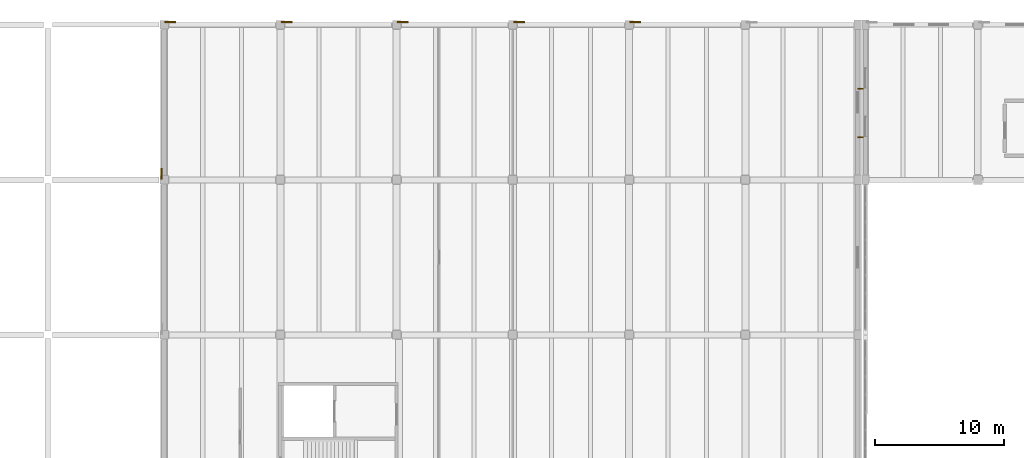
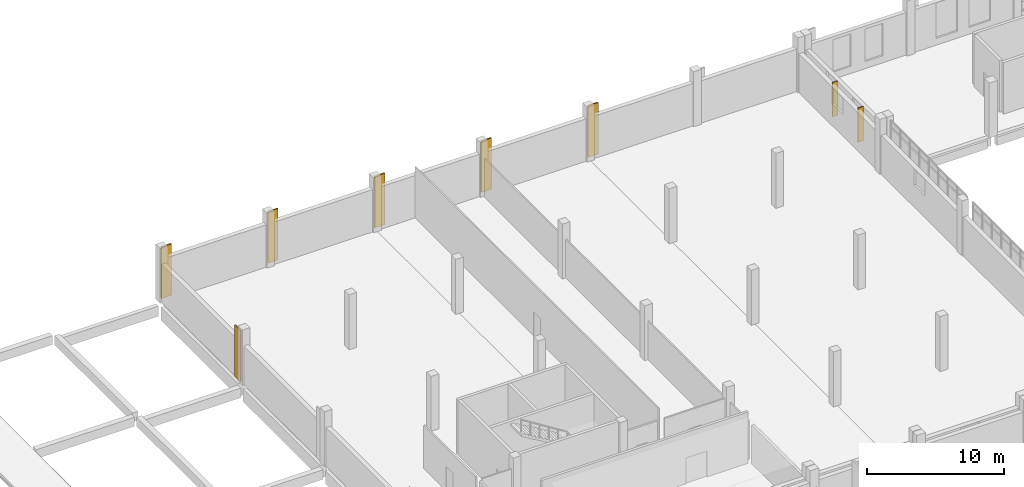
# One storey, part 108 of 110: 6 coverings, 2 shading devices.
"""IFC4 building model written with IfcOpenShell, lengths in metres."""

from ifc_helpers import new_model, si_unit, direction, frame, origin, origin_2d, place, context, subcontext, project, spatial, rectangle, extrude, material, layer, layer_set, type_object, element, save


model = new_model("IFC4")

# Units and contexts
model_context = context("Model", 3, precision=1e-05, world=origin(), true_north=direction((0.0, 1.0)))
body_context = subcontext(model_context, "Body", "Model", "MODEL_VIEW")
ifc_project = project(units=[si_unit("LENGTHUNIT", "METRE"), si_unit("AREAUNIT", "SQUARE_METRE"), si_unit("VOLUMEUNIT", "CUBIC_METRE"), si_unit("PLANEANGLEUNIT", "RADIAN"), si_unit("MASSUNIT", "GRAM", prefix="KILO")], contexts=[model_context])

# Site, building, storey
site_placement = place(None, origin())
site = spatial("IfcSite", under=ifc_project, at=site_placement, CompositionType="ELEMENT")
building_placement = place(site_placement, origin())
building = spatial("IfcBuilding", under=site, at=building_placement, Name="Zacnel Wholesale Market", CompositionType="ELEMENT")
storey_placement = place(building_placement, frame((0.0, 0.0, 6.300048828125)))
storey = spatial("IfcBuildingStorey", under=building, at=storey_placement, Name="L02", CompositionType="ELEMENT", Elevation=6.300048828125)

# Coverings
ifc_material_1 = material(Name="Honed Yucatan Maya cream limestone", Category="masonry")
ifc_layer = layer(ifc_material_1, 0.090087890625)
ifc_layer_set = layer_set([ifc_layer], Name="Honed Yucatan Maya cream limestone")
covering_type = type_object("IfcCoveringType", Name="COV-CLAD-FRET", PredefinedType="CLADDING", material=ifc_layer_set)
for number, where, z_axis, x_axis, name in (
    (1, (18.47998046875, 144.2099609375, 0.02001953125), (0.0, 0.0, 1.0), (1.0, 0.0, 0.0), "Fluted Mayan-Deco limestone pilaster L02-0096"),
    (2, (27.47998046875, 144.2099609375, 0.02001953125), (0.0, 0.0, 1.0), (1.0, 0.0, 0.0), "Fluted Mayan-Deco limestone pilaster L02-0097"),
    (3, (36.47998046875, 144.2099609375, 0.02001953125), (0.0, 0.0, 1.0), (1.0, 0.0, 0.0), "Fluted Mayan-Deco limestone pilaster L02-0098"),
    (4, (45.47998046875, 144.2099609375, 0.02001953125), (0.0, 0.0, 1.0), (1.0, 0.0, 0.0), "Fluted Mayan-Deco limestone pilaster L02-0099"),
    (5, (54.47998046875, 144.2099609375, 0.02001953125), (0.0, 0.0, 1.0), (1.0, 0.0, 0.0), "Fluted Mayan-Deco limestone pilaster L02-0100"),
    (6, (17.7900390625, 132.47998046875, 0.02001953125), (0.0, 0.0, 1.0), (0.0, 1.0, 0.0), "Fluted Mayan-Deco limestone pilaster L02-0105"),
):
    element("IfcCovering", number, at=place(storey_placement, frame(where, z_axis=z_axis, x_axis=x_axis)), inside=storey, type_object=covering_type, Name=name, PredefinedType="CLADDING", context=body_context, shape_type="SweptSolid", body=[
        extrude(rectangle(XDim=0.85009765625, YDim=0.1201171875, at=origin_2d()), origin(), (0.0, 0.0, 1.0), 4.580078125),
    ])

# Shading devices
ifc_material_2 = material(Name="Honed Yucatan Maya cream limestone", Category="masonry")
shading_device_type = type_object("IfcShadingDeviceType", Name="SHD-FIN-V450", PredefinedType="USERDEFINED", material=ifc_material_2)
for number, where, z_axis, x_axis, name in (
    (7, (71.919921875, 135.31494140625, 0.5546875), (0.0, 0.0, 1.0), (0.0, 1.0, 0.0), "Limestone sunshade fin 0187"),
    (8, (71.919921875, 139.06494140625, 0.5546875), (0.0, 0.0, 1.0), (0.0, 1.0, 0.0), "Limestone sunshade fin 0188"),
):
    element("IfcShadingDevice", number, at=place(storey_placement, frame(where, z_axis=z_axis, x_axis=x_axis)), inside=storey, type_object=shading_device_type, Name=name, ObjectType="SUNSHADE", PredefinedType="USERDEFINED", context=body_context, shape_type="SweptSolid", body=[
        extrude(rectangle(XDim=0.080078125, YDim=0.43994140625, at=origin_2d()), origin(), (0.0, 0.0, 1.0), 3.050048828125),
    ])

save(model, "model.ifc")
